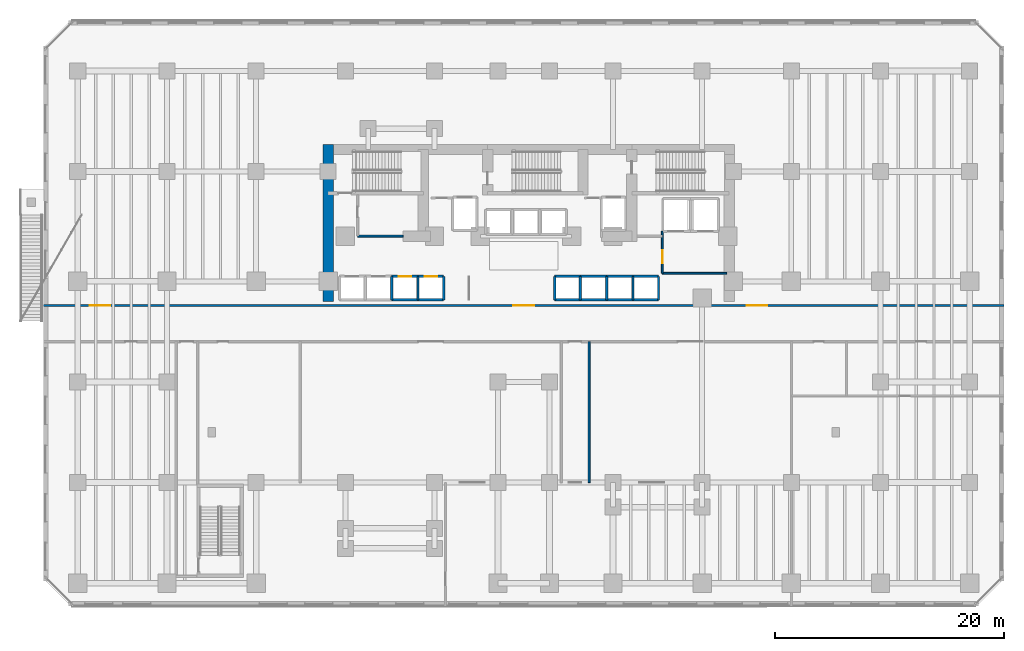
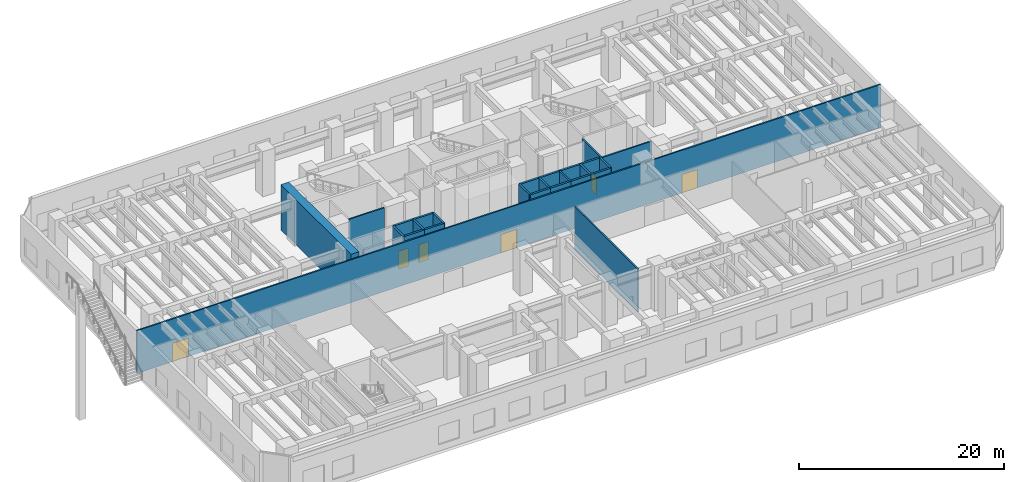
# One storey, part 13 of 21: 26 walls, 6 doors, 6 openings.
"""IFC4 building model written with IfcOpenShell, lengths in metres."""

from ifc_helpers import new_model, si_unit, direction, frame, frame_2d, origin, place, context, subcontext, project, spatial, rectangle, extrude, material, layer, layer_set, type_object, element, fill, save


model = new_model("IFC4")

# Units and contexts
model_context = context("Model", 3, precision=1e-05, world=origin(), true_north=direction((0.0, 1.0)))
body_context = subcontext(model_context, "Body", "Model", "MODEL_VIEW")
ifc_project = project(units=[si_unit("LENGTHUNIT", "METRE"), si_unit("AREAUNIT", "SQUARE_METRE"), si_unit("VOLUMEUNIT", "CUBIC_METRE"), si_unit("PLANEANGLEUNIT", "RADIAN"), si_unit("MASSUNIT", "GRAM", prefix="KILO")], contexts=[model_context])

# Site, building, storey
site_placement = place(None, origin())
site = spatial("IfcSite", under=ifc_project, at=site_placement, CompositionType="ELEMENT")
building_placement = place(site_placement, origin())
building = spatial("IfcBuilding", under=site, at=building_placement, Name="Kestravale Grand Hotel", CompositionType="ELEMENT")
storey_placement = place(building_placement, frame((0.0, 0.0, 10.39990234375)))
storey = spatial("IfcBuildingStorey", under=building, at=storey_placement, Name="L02", CompositionType="ELEMENT", Elevation=10.39990234375)

# Wall
ifc_material_1 = material(Name="Concrete f'c 70 MPa", Category="concrete")
ifc_layer_1 = layer(ifc_material_1, 0.89990234375)
ifc_layer_set_1 = layer_set([ifc_layer_1], Name="EW-CORE-900")
wall_type_1 = type_object("IfcWallType", Name="EW-CORE-900", PredefinedType="SHEAR", material=ifc_layer_set_1)
wall_1_placement = place(storey_placement, frame((21.89990234375, 27.050048828125, 0.0), z_axis=(0.0, 0.0, 1.0), x_axis=(0.0, 1.0, 0.0)))
element("IfcWall", 1, at=wall_1_placement, inside=storey, type_object=wall_type_1, Name="L02 core shear wall W1", PredefinedType="SHEAR", context=body_context, shape_type="SweptSolid", body=[
    extrude(rectangle(XDim=13.719970703125, YDim=0.89990234375, at=frame_2d((6.85986328125, 0.0))), origin(), (0.0, 0.0, 1.0), 5.400146484375),
])

# Wall, opening, door
ifc_material_2 = material(Name="Acoustic fire-rated gypsum board partition", Category="other")
ifc_layer_2 = layer(ifc_material_2, 0.159912109375)
ifc_layer_set_2 = layer_set([ifc_layer_2], Name="IW-CORR-160")
wall_type_2 = type_object("IfcWallType", Name="IW-CORR-160", PredefinedType="PARTITIONING", material=ifc_layer_set_2)
wall_2_placement = place(storey_placement, frame((51.1201171875, 29.5, 0.0), z_axis=(0.0, 0.0, 1.0), x_axis=(0.0, 1.0, 0.0)))
wall_2 = element("IfcWall", 2, at=wall_2_placement, inside=storey, type_object=wall_type_2, Name="W-L02-SVCLOB-W", PredefinedType="PARTITIONING", context=body_context, shape_type="SweptSolid", body=[
    extrude(rectangle(XDim=3.699951171875, YDim=0.159912109375, at=frame_2d((1.85009765625, 0.0))), origin(), (0.0, 0.0, 1.0), 5.10009765625),
])
opening_1_placement = place(wall_2_placement, frame((0.89990234375, 0.0, 0.0)))
opening_1 = element("IfcOpeningElement", 3, at=opening_1_placement, cuts=wall_2, Name="Opening D-CORR-1100", PredefinedType="OPENING", context=body_context, shape_type="SweptSolid", body=[
    extrude(rectangle(XDim=1.10009765625, YDim=2.14990234375, at=frame_2d((0.550048828125, 1.074951171875))), frame((0.0, 0.08984375, 0.0), z_axis=(0.0, -1.0, 0.0), x_axis=(1.0, 0.0, 0.0)), (0.0, 0.0, 1.0), 0.179931640625),
])
ifc_material_3 = material(Name="Single-leaf service vestibule fire door", Category="steel")
door_type_1 = type_object("IfcDoorType", Name="D-CORR-1100", OperationType="NOTDEFINED", PredefinedType="DOOR", material=ifc_material_3)
door_1_placement = place(opening_1_placement, origin())
door_1 = element("IfcDoor", 4, at=door_1_placement, inside=storey, type_object=door_type_1, Name="L02 service lift lobby door", OperationType="SINGLE_SWING_LEFT", OverallHeight=2.14990234375, OverallWidth=1.10009765625, PredefinedType="DOOR", context=body_context, shape_type="SweptSolid", body=[
    extrude(rectangle(XDim=1.10009765625, YDim=2.14990234375, at=frame_2d((0.550048828125, 1.074951171875))), frame((0.0, 0.02490234375, 0.0), z_axis=(0.0, -1.0, 0.0), x_axis=(1.0, 0.0, 0.0)), (0.0, 0.0, 1.0), 0.050048828125),
])
fill(opening_1, door_1)

# Walls
wall_3_placement = place(storey_placement, frame((51.1201171875, 29.5, 0.0), z_axis=(0.0, 0.0, 1.0), x_axis=(1.0, 0.0, 0.0)))
element("IfcWall", 5, at=wall_3_placement, inside=storey, type_object=wall_type_2, Name="L02 service lift lobby wall", PredefinedType="PARTITIONING", context=body_context, shape_type="SweptSolid", body=[
    extrude(rectangle(XDim=5.6298828125, YDim=0.159912109375, at=frame_2d((2.81494140625, 0.0))), origin(), (0.0, 0.0, 1.0), 5.10009765625),
])
wall_4_placement = place(storey_placement, frame((24.47998046875, 32.75, 0.0), z_axis=(0.0, 0.0, 1.0), x_axis=(1.0, 0.0, 0.0)))
element("IfcWall", 6, at=wall_4_placement, inside=storey, type_object=wall_type_2, Name="W-L02-CWS", PredefinedType="PARTITIONING", context=body_context, shape_type="SweptSolid", body=[
    extrude(rectangle(XDim=3.969970703125, YDim=0.159912109375, at=frame_2d((1.98486328125, 0.0))), origin(), (0.0, 0.0, 1.0), 5.10009765625),
])

# Wall, openings, doors
wall_5_placement = place(storey_placement, frame((-2.97998046875, 26.679931640625, 0.0), z_axis=(0.0, 0.0, 1.0), x_axis=(1.0, 0.0, 0.0)))
wall_5 = element("IfcWall", 7, at=wall_5_placement, inside=storey, type_object=wall_type_2, Name="W-L02-MC-N", PredefinedType="PARTITIONING", context=body_context, shape_type="SweptSolid", body=[
    extrude(rectangle(XDim=83.9599609375, YDim=0.159912109375, at=frame_2d((41.97998046875, 0.0))), origin(), (0.0, 0.0, 1.0), 5.10009765625),
])
opening_2_placement = place(wall_5_placement, frame((41.080078125, 0.0, 0.0)))
opening_2 = element("IfcOpeningElement", 8, at=opening_2_placement, cuts=wall_5, Name="Opening D-CORR-1800", PredefinedType="OPENING", context=body_context, shape_type="SweptSolid", body=[
    extrude(rectangle(XDim=1.800048828125, YDim=2.199951171875, at=frame_2d((0.89990234375, 1.10009765625))), frame((0.0, 0.08984375, 0.0), z_axis=(0.0, -1.0, 0.0), x_axis=(1.0, 0.0, 0.0)), (0.0, 0.0, 1.0), 0.179931640625),
])
opening_3_placement = place(wall_5_placement, frame((4.04248046875, 0.0, 0.0)))
opening_3 = element("IfcOpeningElement", 9, at=opening_3_placement, cuts=wall_5, Name="Opening D-CORR-1800", PredefinedType="OPENING", context=body_context, shape_type="SweptSolid", body=[
    extrude(rectangle(XDim=1.800048828125, YDim=2.199951171875, at=frame_2d((0.89990234375, 1.10009765625))), frame((0.0, 0.08984375, 0.0), z_axis=(0.0, -1.0, 0.0), x_axis=(1.0, 0.0, 0.0)), (0.0, 0.0, 1.0), 0.179931640625),
])
opening_4_placement = place(wall_5_placement, frame((61.47998046875, 0.0, 0.0)))
opening_4 = element("IfcOpeningElement", 10, at=opening_4_placement, cuts=wall_5, Name="Opening D-CORR-1800", PredefinedType="OPENING", context=body_context, shape_type="SweptSolid", body=[
    extrude(rectangle(XDim=1.800048828125, YDim=2.199951171875, at=frame_2d((0.89990234375, 1.10009765625))), frame((0.0, 0.08984375, 0.0), z_axis=(0.0, -1.0, 0.0), x_axis=(1.0, 0.0, 0.0)), (0.0, 0.0, 1.0), 0.179931640625),
])
ifc_material_4 = material(Name="Double-leaf glazed bronze acoustic corridor fire door", Category="aluminium")
door_type_2 = type_object("IfcDoorType", Name="D-CORR-1800", OperationType="NOTDEFINED", PredefinedType="DOOR", material=ifc_material_4)
door_2_placement = place(opening_2_placement, origin())
door_2 = element("IfcDoor", 11, at=door_2_placement, inside=storey, type_object=door_type_2, Name="D-L02-MC-LFT", OperationType="DOUBLE_DOOR_SINGLE_SWING", OverallHeight=2.199951171875, OverallWidth=1.800048828125, PredefinedType="DOOR", context=body_context, shape_type="SweptSolid", body=[
    extrude(rectangle(XDim=1.800048828125, YDim=2.199951171875, at=frame_2d((0.89990234375, 1.10009765625))), frame((0.0, 0.02490234375, 0.0), z_axis=(0.0, -1.0, 0.0), x_axis=(1.0, 0.0, 0.0)), (0.0, 0.0, 1.0), 0.050048828125),
])
fill(opening_2, door_2)
door_3_placement = place(opening_3_placement, origin())
door_3 = element("IfcDoor", 12, at=door_3_placement, inside=storey, type_object=door_type_2, Name="D-L02-PANTRY", OperationType="DOUBLE_DOOR_SINGLE_SWING", OverallHeight=2.199951171875, OverallWidth=1.800048828125, PredefinedType="DOOR", context=body_context, shape_type="SweptSolid", body=[
    extrude(rectangle(XDim=1.800048828125, YDim=2.199951171875, at=frame_2d((0.89990234375, 1.10009765625))), frame((0.0, 0.02490234375, 0.0), z_axis=(0.0, -1.0, 0.0), x_axis=(1.0, 0.0, 0.0)), (0.0, 0.0, 1.0), 0.050048828125),
])
fill(opening_3, door_3)
door_4_placement = place(opening_4_placement, origin())
door_4 = element("IfcDoor", 13, at=door_4_placement, inside=storey, type_object=door_type_2, Name="D-L02-VIP", OperationType="DOUBLE_DOOR_SINGLE_SWING", OverallHeight=2.199951171875, OverallWidth=1.800048828125, PredefinedType="DOOR", context=body_context, shape_type="SweptSolid", body=[
    extrude(rectangle(XDim=1.800048828125, YDim=2.199951171875, at=frame_2d((0.89990234375, 1.10009765625))), frame((0.0, 0.02490234375, 0.0), z_axis=(0.0, -1.0, 0.0), x_axis=(1.0, 0.0, 0.0)), (0.0, 0.0, 1.0), 0.050048828125),
])
fill(opening_4, door_4)

# Walls
wall_6_placement = place(storey_placement, frame((44.719970703125, 11.199951171875, 0.0), z_axis=(0.0, 0.0, 1.0), x_axis=(0.0, 1.0, 0.0)))
element("IfcWall", 14, at=wall_6_placement, inside=storey, type_object=wall_type_2, Name="W-L02-SGC-E", PredefinedType="PARTITIONING", context=body_context, shape_type="SweptSolid", body=[
    extrude(rectangle(XDim=12.320068359375, YDim=0.159912109375, at=frame_2d((6.16015625, 0.0))), origin(), (0.0, 0.0, 1.0), 5.10009765625),
])
ifc_material_5 = material(Name="Concrete f'c 45 MPa", Category="concrete")
ifc_layer_3 = layer(ifc_material_5, 0.199951171875)
ifc_layer_set_3 = layer_set([ifc_layer_3], Name="IW-SHAFT-200")
wall_type_3 = type_object("IfcWallType", Name="IW-SHAFT-200", PredefinedType="SHEAR", material=ifc_layer_set_3)
for number, where, z_axis, x_axis, name in (
    (15, (27.449951171875, 27.169921875, 0.0), (0.0, 0.0, 1.0), (0.0, 1.0, 0.0), "L02 PL-L3 west shaft wall"),
    (16, (29.75, 27.169921875, 0.0), (0.0, 0.0, 1.0), (0.0, 1.0, 0.0), "L02 PL-L4 west shaft wall"),
    (17, (31.9951171875, 27.169921875, 0.0), (0.0, 0.0, 1.0), (0.0, 1.0, 0.0), "L02 PL-L4 east shaft wall"),
    (18, (41.705078125, 27.169921875, 0.0), (0.0, 0.0, 1.0), (0.0, 1.0, 0.0), "L02 PL-M1 west shaft wall"),
    (19, (43.949951171875, 27.169921875, 0.0), (0.0, 0.0, 1.0), (0.0, 1.0, 0.0), "L02 PL-M2 west shaft wall"),
    (20, (46.25, 27.169921875, 0.0), (0.0, 0.0, 1.0), (0.0, 1.0, 0.0), "L02 PL-M3 west shaft wall"),
    (21, (48.550048828125, 27.169921875, 0.0), (0.0, 0.0, 1.0), (0.0, 1.0, 0.0), "L02 PL-M4 west shaft wall"),
    (22, (50.794921875, 27.169921875, 0.0), (0.0, 0.0, 1.0), (0.0, 1.0, 0.0), "L02 PL-M4 east shaft wall"),
):
    element("IfcWall", number, at=place(storey_placement, frame(where, z_axis=z_axis, x_axis=x_axis)), inside=storey, type_object=wall_type_3, Name=name, PredefinedType="SHEAR", context=body_context, shape_type="SweptSolid", body=[
        extrude(rectangle(XDim=2.06005859375, YDim=0.199951171875, at=frame_2d((1.030029296875, 0.0))), origin(), (0.0, 0.0, 1.0), 5.400146484375),
    ])

# Wall, opening, door
ifc_material_6 = material(Name="Concrete f'c 45 MPa", Category="concrete")
ifc_layer_4 = layer(ifc_material_6, 0.219970703125)
ifc_layer_set_4 = layer_set([ifc_layer_4], Name="IW-SHAFT-220")
wall_type_4 = type_object("IfcWallType", Name="IW-SHAFT-220", PredefinedType="SHEAR", material=ifc_layer_set_4)
wall_7_placement = place(storey_placement, frame((27.449951171875, 29.22998046875, 0.0), z_axis=(0.0, 0.0, 1.0), x_axis=(1.0, 0.0, 0.0)))
wall_7 = element("IfcWall", 23, at=wall_7_placement, inside=storey, type_object=wall_type_4, Name="L02 PL-L3 north shaft wall", PredefinedType="SHEAR", context=body_context, shape_type="SweptSolid", body=[
    extrude(rectangle(XDim=2.300048828125, YDim=0.219970703125, at=frame_2d((1.14990234375, 0.0))), origin(), (0.0, 0.0, 1.0), 5.400146484375),
])
opening_5_placement = place(wall_7_placement, frame((0.60009765625, 0.0, 0.0)))
opening_5 = element("IfcOpeningElement", 24, at=opening_5_placement, cuts=wall_7, Name="Opening LD-PAX-1100", PredefinedType="OPENING", context=body_context, shape_type="SweptSolid", body=[
    extrude(rectangle(XDim=1.10009765625, YDim=2.14990234375, at=frame_2d((0.550048828125, 1.074951171875))), frame((0.0, 0.119873046875, 0.0), z_axis=(0.0, -1.0, 0.0), x_axis=(1.0, 0.0, 0.0)), (0.0, 0.0, 1.0), 0.239990234375),
])
ifc_material_7 = material(Name="Champagne-bronze center-opening sliding elevator landing door", Category="steel")
door_type_3 = type_object("IfcDoorType", Name="LD-PAX-1100", OperationType="NOTDEFINED", PredefinedType="DOOR", material=ifc_material_7)
door_5_placement = place(opening_5_placement, origin())
door_5 = element("IfcDoor", 25, at=door_5_placement, inside=storey, type_object=door_type_3, Name="L02 PL-L3 elevator landing sliding door", OperationType="DOUBLE_DOOR_SLIDING", OverallHeight=2.14990234375, OverallWidth=1.10009765625, PredefinedType="DOOR", context=body_context, shape_type="SweptSolid", body=[
    extrude(rectangle(XDim=1.10009765625, YDim=2.14990234375, at=frame_2d((0.550048828125, 1.074951171875))), frame((0.0, 0.02490234375, 0.0), z_axis=(0.0, -1.0, 0.0), x_axis=(1.0, 0.0, 0.0)), (0.0, 0.0, 1.0), 0.050048828125),
])
fill(opening_5, door_5)

# Wall
wall_8_placement = place(storey_placement, frame((27.449951171875, 27.169921875, 0.0), z_axis=(0.0, 0.0, 1.0), x_axis=(1.0, 0.0, 0.0)))
element("IfcWall", 26, at=wall_8_placement, inside=storey, type_object=wall_type_4, Name="L02 PL-L3 south shaft wall", PredefinedType="SHEAR", context=body_context, shape_type="SweptSolid", body=[
    extrude(rectangle(XDim=2.300048828125, YDim=0.219970703125, at=frame_2d((1.14990234375, 0.0))), origin(), (0.0, 0.0, 1.0), 5.400146484375),
])

# Wall, opening, door
wall_9_placement = place(storey_placement, frame((29.75, 29.22998046875, 0.0), z_axis=(0.0, 0.0, 1.0), x_axis=(1.0, 0.0, 0.0)))
wall_9 = element("IfcWall", 27, at=wall_9_placement, inside=storey, type_object=wall_type_4, Name="L02 PL-L4 north shaft wall", PredefinedType="SHEAR", context=body_context, shape_type="SweptSolid", body=[
    extrude(rectangle(XDim=2.2451171875, YDim=0.219970703125, at=frame_2d((1.12255859375, 0.0))), origin(), (0.0, 0.0, 1.0), 5.400146484375),
])
opening_6_placement = place(wall_9_placement, frame((0.60009765625, 0.0, 0.0)))
opening_6 = element("IfcOpeningElement", 28, at=opening_6_placement, cuts=wall_9, Name="Opening LD-PAX-1100", PredefinedType="OPENING", context=body_context, shape_type="SweptSolid", body=[
    extrude(rectangle(XDim=1.10009765625, YDim=2.14990234375, at=frame_2d((0.550048828125, 1.074951171875))), frame((0.0, 0.119873046875, 0.0), z_axis=(0.0, -1.0, 0.0), x_axis=(1.0, 0.0, 0.0)), (0.0, 0.0, 1.0), 0.239990234375),
])
door_6_placement = place(opening_6_placement, origin())
door_6 = element("IfcDoor", 29, at=door_6_placement, inside=storey, type_object=door_type_3, Name="L02 PL-L4 elevator landing sliding door", OperationType="DOUBLE_DOOR_SLIDING", OverallHeight=2.14990234375, OverallWidth=1.10009765625, PredefinedType="DOOR", context=body_context, shape_type="SweptSolid", body=[
    extrude(rectangle(XDim=1.10009765625, YDim=2.14990234375, at=frame_2d((0.550048828125, 1.074951171875))), frame((0.0, 0.02490234375, 0.0), z_axis=(0.0, -1.0, 0.0), x_axis=(1.0, 0.0, 0.0)), (0.0, 0.0, 1.0), 0.050048828125),
])
fill(opening_6, door_6)

# Walls
wall_10_placement = place(storey_placement, frame((29.75, 27.169921875, 0.0), z_axis=(0.0, 0.0, 1.0), x_axis=(1.0, 0.0, 0.0)))
element("IfcWall", 30, at=wall_10_placement, inside=storey, type_object=wall_type_4, Name="L02 PL-L4 south shaft wall", PredefinedType="SHEAR", context=body_context, shape_type="SweptSolid", body=[
    extrude(rectangle(XDim=2.2451171875, YDim=0.219970703125, at=frame_2d((1.12255859375, 0.0))), origin(), (0.0, 0.0, 1.0), 5.400146484375),
])
for number, where, z_axis, x_axis, name in (
    (31, (41.705078125, 29.22998046875, 0.0), (0.0, 0.0, 1.0), (1.0, 0.0, 0.0), "L02 PL-M1 north shaft wall"),
    (32, (41.705078125, 27.169921875, 0.0), (0.0, 0.0, 1.0), (1.0, 0.0, 0.0), "L02 PL-M1 south shaft wall"),
):
    element("IfcWall", number, at=place(storey_placement, frame(where, z_axis=z_axis, x_axis=x_axis)), inside=storey, type_object=wall_type_4, Name=name, PredefinedType="SHEAR", context=body_context, shape_type="SweptSolid", body=[
        extrude(rectangle(XDim=2.244873046875, YDim=0.219970703125, at=frame_2d((1.12255859375, 0.0))), origin(), (0.0, 0.0, 1.0), 5.400146484375),
    ])
for number, where, z_axis, x_axis, name in (
    (33, (43.949951171875, 29.22998046875, 0.0), (0.0, 0.0, 1.0), (1.0, 0.0, 0.0), "L02 PL-M2 north shaft wall"),
    (34, (43.949951171875, 27.169921875, 0.0), (0.0, 0.0, 1.0), (1.0, 0.0, 0.0), "L02 PL-M2 south shaft wall"),
    (35, (46.25, 29.22998046875, 0.0), (0.0, 0.0, 1.0), (1.0, 0.0, 0.0), "L02 PL-M3 north shaft wall"),
    (36, (46.25, 27.169921875, 0.0), (0.0, 0.0, 1.0), (1.0, 0.0, 0.0), "L02 PL-M3 south shaft wall"),
):
    element("IfcWall", number, at=place(storey_placement, frame(where, z_axis=z_axis, x_axis=x_axis)), inside=storey, type_object=wall_type_4, Name=name, PredefinedType="SHEAR", context=body_context, shape_type="SweptSolid", body=[
        extrude(rectangle(XDim=2.300048828125, YDim=0.219970703125, at=frame_2d((1.14990234375, 0.0))), origin(), (0.0, 0.0, 1.0), 5.400146484375),
    ])
for number, where, z_axis, x_axis, name in (
    (37, (48.550048828125, 29.22998046875, 0.0), (0.0, 0.0, 1.0), (1.0, 0.0, 0.0), "L02 PL-M4 north shaft wall"),
    (38, (48.550048828125, 27.169921875, 0.0), (0.0, 0.0, 1.0), (1.0, 0.0, 0.0), "L02 PL-M4 south shaft wall"),
):
    element("IfcWall", number, at=place(storey_placement, frame(where, z_axis=z_axis, x_axis=x_axis)), inside=storey, type_object=wall_type_4, Name=name, PredefinedType="SHEAR", context=body_context, shape_type="SweptSolid", body=[
        extrude(rectangle(XDim=2.244873046875, YDim=0.219970703125, at=frame_2d((1.12255859375, 0.0))), origin(), (0.0, 0.0, 1.0), 5.400146484375),
    ])

save(model, "model.ifc")
